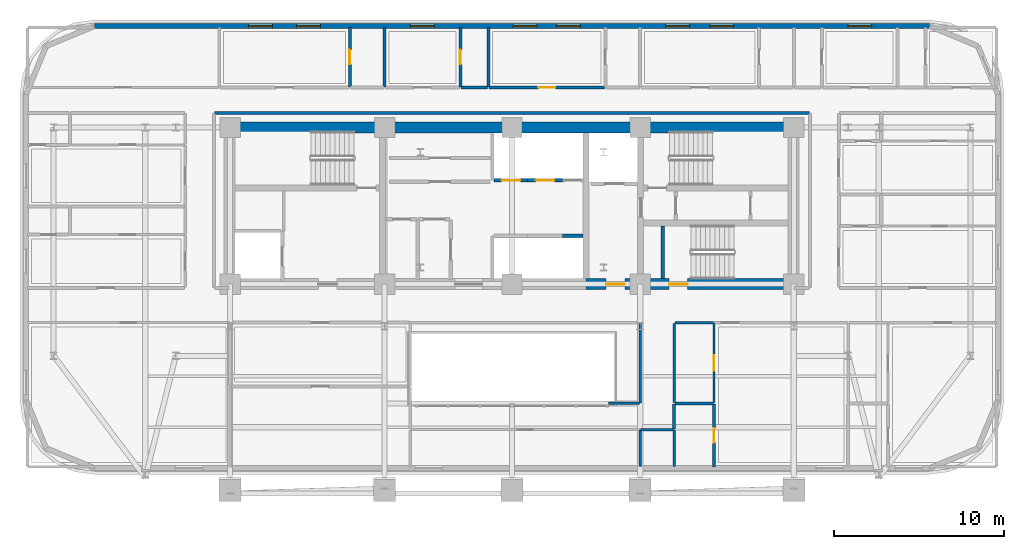
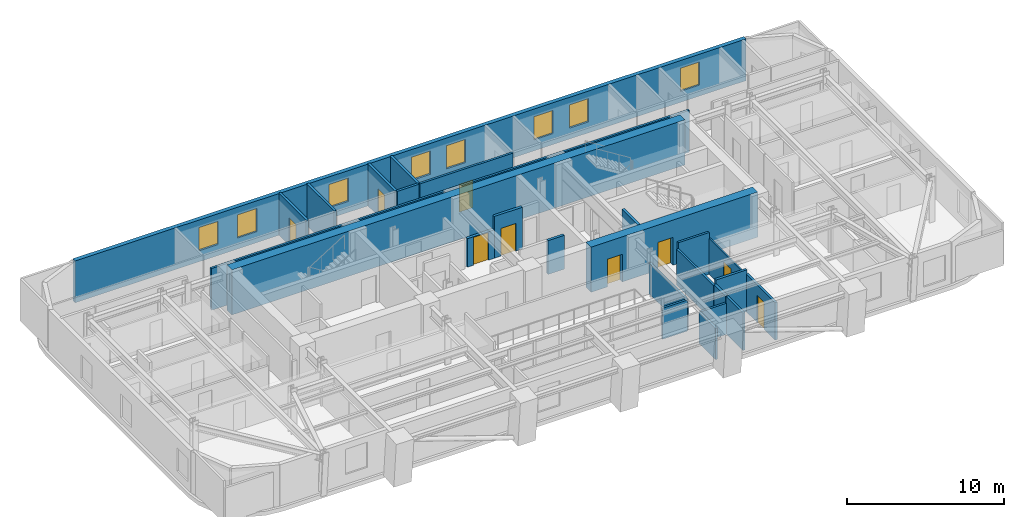
# One storey, part 9 of 15: 25 walls, 9 doors, 8 windows, 17 openings.
"""IFC4 building model written with IfcOpenShell, lengths in metres."""

from ifc_helpers import new_model, si_unit, direction, frame, frame_2d, origin, place, context, subcontext, project, spatial, rectangle, extrude, material, layer, layer_set, type_object, element, fill, save


model = new_model("IFC4")

# Units and contexts
model_context = context("Model", 3, precision=1e-05, world=origin(), true_north=direction((0.0, 1.0)))
body_context = subcontext(model_context, "Body", "Model", "MODEL_VIEW")
ifc_project = project(units=[si_unit("LENGTHUNIT", "METRE"), si_unit("AREAUNIT", "SQUARE_METRE"), si_unit("VOLUMEUNIT", "CUBIC_METRE"), si_unit("PLANEANGLEUNIT", "RADIAN"), si_unit("MASSUNIT", "GRAM", prefix="KILO")], contexts=[model_context])

# Site, building, storey
site_placement = place(None, origin())
site = spatial("IfcSite", under=ifc_project, at=site_placement, CompositionType="ELEMENT")
building_placement = place(site_placement, origin())
building = spatial("IfcBuilding", under=site, at=building_placement, Name="Zarnavel Station Tower", CompositionType="ELEMENT")
storey_placement = place(building_placement, frame((0.0, 0.0, 115.300048828125)))
storey = spatial("IfcBuildingStorey", under=building, at=storey_placement, Name="L31", CompositionType="ELEMENT", Elevation=115.300048828125)

# Wall
ifc_material_1 = material(Name="Concrete C60/75", Category="concrete")
ifc_layer_1 = layer(ifc_material_1, 0.64990234375)
ifc_layer_set_1 = layer_set([ifc_layer_1], Name="CW_650")
wall_type_1 = type_object("IfcWallType", Name="CW_650", PredefinedType="SHEAR", material=ifc_layer_set_1)
wall_1_placement = place(storey_placement, frame((12.14990234375, 37.050048828125, 0.0), z_axis=(0.0, 0.0, 1.0), x_axis=(1.0, 0.0, 0.0)))
element("IfcWall", 1, at=wall_1_placement, inside=storey, type_object=wall_type_1, Name="L31 Rear Core Shear Wall N", PredefinedType="SHEAR", context=body_context, shape_type="SweptSolid", body=[
    extrude(rectangle(XDim=33.22998046875, YDim=0.64990234375, at=frame_2d((16.614990234375, 0.0))), origin(), (0.0, 0.0, 1.0), 3.5),
])

# Wall, openings, doors
wall_2_placement = place(storey_placement, frame((45.3798828125, 27.820068359375, 0.0), z_axis=(0.0, 0.0, 1.0), x_axis=(-1.0, 0.0, 0.0)))
wall_2 = element("IfcWall", 2, at=wall_2_placement, inside=storey, type_object=wall_type_1, Name="L31 Rear Core Shear Wall S-E", PredefinedType="SHEAR", context=body_context, shape_type="SweptSolid", body=[
    extrude(rectangle(XDim=12.22998046875, YDim=0.64990234375, at=frame_2d((6.114990234375, 0.0))), origin(), (0.0, 0.0, 1.0), 3.5),
])
opening_1_placement = place(wall_2_placement, frame((9.929931640625, 0.0, 0.0)))
opening_1 = element("IfcOpeningElement", 3, at=opening_1_placement, cuts=wall_2, Name="Opening FD01", PredefinedType="OPENING", context=body_context, shape_type="SweptSolid", body=[
    extrude(rectangle(XDim=1.10009765625, YDim=2.14990234375, at=frame_2d((0.550048828125, 1.074951171875))), frame((0.0, 0.3349609375, 0.0), z_axis=(0.0, -1.0, 0.0), x_axis=(1.0, 0.0, 0.0)), (0.0, 0.0, 1.0), 0.669921875),
])
opening_2_placement = place(wall_2_placement, frame((6.22998046875, 0.0, 0.0)))
opening_2 = element("IfcOpeningElement", 4, at=opening_2_placement, cuts=wall_2, Name="Opening FD01", PredefinedType="OPENING", context=body_context, shape_type="SweptSolid", body=[
    extrude(rectangle(XDim=1.10009765625, YDim=2.14990234375, at=frame_2d((0.550048828125, 1.074951171875))), frame((0.0, 0.3349609375, 0.0), z_axis=(0.0, -1.0, 0.0), x_axis=(1.0, 0.0, 0.0)), (0.0, 0.0, 1.0), 0.669921875),
])
ifc_material_2 = material(Name="Painted Galvanised Steel and Hardwood Leaf", Category="steel")
door_type_1 = type_object("IfcDoorType", Name="ID_STAIR_1100", OperationType="NOTDEFINED", PredefinedType="DOOR", material=ifc_material_2)
door_1_placement = place(opening_1_placement, origin())
door_1 = element("IfcDoor", 5, at=door_1_placement, inside=storey, type_object=door_type_1, Name="L31 East Firefighting Lobby Door", OperationType="SINGLE_SWING_LEFT", OverallHeight=2.14990234375, OverallWidth=1.10009765625, PredefinedType="DOOR", context=body_context, shape_type="SweptSolid", body=[
    extrude(rectangle(XDim=1.10009765625, YDim=2.14990234375, at=frame_2d((0.550048828125, 1.074951171875))), frame((0.0, 0.02490234375, 0.0), z_axis=(0.0, -1.0, 0.0), x_axis=(1.0, 0.0, 0.0)), (0.0, 0.0, 1.0), 0.050048828125),
])
fill(opening_1, door_1)
door_2_placement = place(opening_2_placement, origin())
door_2 = element("IfcDoor", 6, at=door_2_placement, inside=storey, type_object=door_type_1, Name="L31 Stair ST3 Corridor Fire Door", OperationType="SINGLE_SWING_RIGHT", OverallHeight=2.14990234375, OverallWidth=1.10009765625, PredefinedType="DOOR", context=body_context, shape_type="SweptSolid", body=[
    extrude(rectangle(XDim=1.10009765625, YDim=2.14990234375, at=frame_2d((0.550048828125, 1.074951171875))), frame((0.0, 0.02490234375, 0.0), z_axis=(0.0, -1.0, 0.0), x_axis=(1.0, 0.0, 0.0)), (0.0, 0.0, 1.0), 0.050048828125),
])
fill(opening_2, door_2)

# Wall, openings, windows
ifc_material_3 = material(Name="Precast concrete C45/55 (Dark Basalt Finish)", Category="masonry")
ifc_layer_2 = layer(ifc_material_3, 0.300048828125)
ifc_layer_set_2 = layer_set([ifc_layer_2], Name="EW_BASALT_300")
wall_type_2 = type_object("IfcWallType", Name="EW_BASALT_300", PredefinedType="SOLIDWALL", material=ifc_layer_set_2)
wall_3_placement = place(storey_placement, frame((4.199951171875, 43.02001953125, 0.0), z_axis=(0.0, 0.0, 1.0), x_axis=(1.0, 0.0, 0.0)))
wall_3 = element("IfcWall", 7, at=wall_3_placement, inside=storey, type_object=wall_type_2, Name="L31 Exterior Basalt Masonry Frame Wall 06", PredefinedType="SOLIDWALL", context=body_context, shape_type="SweptSolid", body=[
    extrude(rectangle(XDim=49.199951171875, YDim=0.300048828125, at=frame_2d((24.60009765625, 0.0))), origin(), (0.0, 0.0, 1.0), 3.239990234375),
])
opening_3_placement = place(wall_3_placement, frame((9.090087890625, 0.0, 0.85009765625)))
opening_3 = element("IfcOpeningElement", 8, at=opening_3_placement, cuts=wall_3, Name="Opening WN01", PredefinedType="OPENING", context=body_context, shape_type="SweptSolid", body=[
    extrude(rectangle(XDim=1.39990234375, YDim=1.800048828125, at=frame_2d((0.699951171875, 0.89990234375))), frame((0.0, 0.159912109375, 0.0), z_axis=(0.0, -1.0, 0.0), x_axis=(1.0, 0.0, 0.0)), (0.0, 0.0, 1.0), 0.320068359375),
])
opening_4_placement = place(wall_3_placement, frame((11.919921875, 0.0, 0.85009765625)))
opening_4 = element("IfcOpeningElement", 9, at=opening_4_placement, cuts=wall_3, Name="Opening WN01", PredefinedType="OPENING", context=body_context, shape_type="SweptSolid", body=[
    extrude(rectangle(XDim=1.39990234375, YDim=1.800048828125, at=frame_2d((0.699951171875, 0.89990234375))), frame((0.0, 0.159912109375, 0.0), z_axis=(0.0, -1.0, 0.0), x_axis=(1.0, 0.0, 0.0)), (0.0, 0.0, 1.0), 0.320068359375),
])
opening_5_placement = place(wall_3_placement, frame((18.626953125, 0.0, 0.85009765625)))
opening_5 = element("IfcOpeningElement", 10, at=opening_5_placement, cuts=wall_3, Name="Opening WN01", PredefinedType="OPENING", context=body_context, shape_type="SweptSolid", body=[
    extrude(rectangle(XDim=1.39990234375, YDim=1.800048828125, at=frame_2d((0.699951171875, 0.89990234375))), frame((0.0, 0.159912109375, 0.0), z_axis=(0.0, -1.0, 0.0), x_axis=(1.0, 0.0, 0.0)), (0.0, 0.0, 1.0), 0.320068359375),
])
opening_6_placement = place(wall_3_placement, frame((24.669189453125, 0.0, 0.85009765625)))
opening_6 = element("IfcOpeningElement", 11, at=opening_6_placement, cuts=wall_3, Name="Opening WN01", PredefinedType="OPENING", context=body_context, shape_type="SweptSolid", body=[
    extrude(rectangle(XDim=1.39990234375, YDim=1.800048828125, at=frame_2d((0.699951171875, 0.89990234375))), frame((0.0, 0.159912109375, 0.0), z_axis=(0.0, -1.0, 0.0), x_axis=(1.0, 0.0, 0.0)), (0.0, 0.0, 1.0), 0.320068359375),
])
opening_7_placement = place(wall_3_placement, frame((27.234619140625, 0.0, 0.85009765625)))
opening_7 = element("IfcOpeningElement", 12, at=opening_7_placement, cuts=wall_3, Name="Opening WN01", PredefinedType="OPENING", context=body_context, shape_type="SweptSolid", body=[
    extrude(rectangle(XDim=1.39990234375, YDim=1.800048828125, at=frame_2d((0.699951171875, 0.89990234375))), frame((0.0, 0.159912109375, 0.0), z_axis=(0.0, -1.0, 0.0), x_axis=(1.0, 0.0, 0.0)), (0.0, 0.0, 1.0), 0.320068359375),
])
opening_8_placement = place(wall_3_placement, frame((33.64990234375, 0.0, 0.85009765625)))
opening_8 = element("IfcOpeningElement", 13, at=opening_8_placement, cuts=wall_3, Name="Opening WN01", PredefinedType="OPENING", context=body_context, shape_type="SweptSolid", body=[
    extrude(rectangle(XDim=1.39990234375, YDim=1.800048828125, at=frame_2d((0.699951171875, 0.89990234375))), frame((0.0, 0.159912109375, 0.0), z_axis=(0.0, -1.0, 0.0), x_axis=(1.0, 0.0, 0.0)), (0.0, 0.0, 1.0), 0.320068359375),
])
opening_9_placement = place(wall_3_placement, frame((36.25, 0.0, 0.85009765625)))
opening_9 = element("IfcOpeningElement", 14, at=opening_9_placement, cuts=wall_3, Name="Opening WN01", PredefinedType="OPENING", context=body_context, shape_type="SweptSolid", body=[
    extrude(rectangle(XDim=1.39990234375, YDim=1.800048828125, at=frame_2d((0.699951171875, 0.89990234375))), frame((0.0, 0.159912109375, 0.0), z_axis=(0.0, -1.0, 0.0), x_axis=(1.0, 0.0, 0.0)), (0.0, 0.0, 1.0), 0.320068359375),
])
opening_10_placement = place(wall_3_placement, frame((44.376953125, 0.0, 0.85009765625)))
opening_10 = element("IfcOpeningElement", 15, at=opening_10_placement, cuts=wall_3, Name="Opening WN01", PredefinedType="OPENING", context=body_context, shape_type="SweptSolid", body=[
    extrude(rectangle(XDim=1.39990234375, YDim=1.800048828125, at=frame_2d((0.699951171875, 0.89990234375))), frame((0.0, 0.159912109375, 0.0), z_axis=(0.0, -1.0, 0.0), x_axis=(1.0, 0.0, 0.0)), (0.0, 0.0, 1.0), 0.320068359375),
])
ifc_material_4 = material(Name="Thermally Broken Black Aluminium and Low-E Dark Glass", Category="aluminium")
window_type = type_object("IfcWindowType", Name="WN_1400x1800", PartitioningType="DOUBLE_PANEL_VERTICAL", PredefinedType="WINDOW", material=ifc_material_4)
window_1_placement = place(opening_3_placement, origin())
window_1 = element("IfcWindow", 16, at=window_1_placement, inside=storey, type_object=window_type, Name="L31 Recessed Facade Window 01", OverallHeight=1.800048828125, OverallWidth=1.39990234375, PartitioningType="SINGLE_PANEL", PredefinedType="WINDOW", context=body_context, shape_type="SweptSolid", body=[
    extrude(rectangle(XDim=1.39990234375, YDim=1.800048828125, at=frame_2d((0.699951171875, 0.89990234375))), frame((0.0, 0.030029296875, 0.0), z_axis=(0.0, -1.0, 0.0), x_axis=(1.0, 0.0, 0.0)), (0.0, 0.0, 1.0), 0.06005859375),
])
fill(opening_3, window_1)
window_2_placement = place(opening_4_placement, origin())
window_2 = element("IfcWindow", 17, at=window_2_placement, inside=storey, type_object=window_type, Name="L31 Recessed Facade Window 02", OverallHeight=1.800048828125, OverallWidth=1.39990234375, PartitioningType="SINGLE_PANEL", PredefinedType="WINDOW", context=body_context, shape_type="SweptSolid", body=[
    extrude(rectangle(XDim=1.39990234375, YDim=1.800048828125, at=frame_2d((0.699951171875, 0.89990234375))), frame((0.0, 0.030029296875, 0.0), z_axis=(0.0, -1.0, 0.0), x_axis=(1.0, 0.0, 0.0)), (0.0, 0.0, 1.0), 0.06005859375),
])
fill(opening_4, window_2)
window_3_placement = place(opening_5_placement, origin())
window_3 = element("IfcWindow", 18, at=window_3_placement, inside=storey, type_object=window_type, Name="L31 Recessed Facade Window 03", OverallHeight=1.800048828125, OverallWidth=1.39990234375, PartitioningType="SINGLE_PANEL", PredefinedType="WINDOW", context=body_context, shape_type="SweptSolid", body=[
    extrude(rectangle(XDim=1.39990234375, YDim=1.800048828125, at=frame_2d((0.699951171875, 0.89990234375))), frame((0.0, 0.030029296875, 0.0), z_axis=(0.0, -1.0, 0.0), x_axis=(1.0, 0.0, 0.0)), (0.0, 0.0, 1.0), 0.06005859375),
])
fill(opening_5, window_3)
window_4_placement = place(opening_6_placement, origin())
window_4 = element("IfcWindow", 19, at=window_4_placement, inside=storey, type_object=window_type, Name="L31 Recessed Facade Window 04", OverallHeight=1.800048828125, OverallWidth=1.39990234375, PartitioningType="SINGLE_PANEL", PredefinedType="WINDOW", context=body_context, shape_type="SweptSolid", body=[
    extrude(rectangle(XDim=1.39990234375, YDim=1.800048828125, at=frame_2d((0.699951171875, 0.89990234375))), frame((0.0, 0.030029296875, 0.0), z_axis=(0.0, -1.0, 0.0), x_axis=(1.0, 0.0, 0.0)), (0.0, 0.0, 1.0), 0.06005859375),
])
fill(opening_6, window_4)
window_5_placement = place(opening_7_placement, origin())
window_5 = element("IfcWindow", 20, at=window_5_placement, inside=storey, type_object=window_type, Name="L31 Recessed Facade Window 05", OverallHeight=1.800048828125, OverallWidth=1.39990234375, PartitioningType="SINGLE_PANEL", PredefinedType="WINDOW", context=body_context, shape_type="SweptSolid", body=[
    extrude(rectangle(XDim=1.39990234375, YDim=1.800048828125, at=frame_2d((0.699951171875, 0.89990234375))), frame((0.0, 0.030029296875, 0.0), z_axis=(0.0, -1.0, 0.0), x_axis=(1.0, 0.0, 0.0)), (0.0, 0.0, 1.0), 0.06005859375),
])
fill(opening_7, window_5)
window_6_placement = place(opening_8_placement, origin())
window_6 = element("IfcWindow", 21, at=window_6_placement, inside=storey, type_object=window_type, Name="L31 Recessed Facade Window 06", OverallHeight=1.800048828125, OverallWidth=1.39990234375, PartitioningType="SINGLE_PANEL", PredefinedType="WINDOW", context=body_context, shape_type="SweptSolid", body=[
    extrude(rectangle(XDim=1.39990234375, YDim=1.800048828125, at=frame_2d((0.699951171875, 0.89990234375))), frame((0.0, 0.030029296875, 0.0), z_axis=(0.0, -1.0, 0.0), x_axis=(1.0, 0.0, 0.0)), (0.0, 0.0, 1.0), 0.06005859375),
])
fill(opening_8, window_6)
window_7_placement = place(opening_9_placement, origin())
window_7 = element("IfcWindow", 22, at=window_7_placement, inside=storey, type_object=window_type, Name="L31 Recessed Facade Window 07", OverallHeight=1.800048828125, OverallWidth=1.39990234375, PartitioningType="SINGLE_PANEL", PredefinedType="WINDOW", context=body_context, shape_type="SweptSolid", body=[
    extrude(rectangle(XDim=1.39990234375, YDim=1.800048828125, at=frame_2d((0.699951171875, 0.89990234375))), frame((0.0, 0.030029296875, 0.0), z_axis=(0.0, -1.0, 0.0), x_axis=(1.0, 0.0, 0.0)), (0.0, 0.0, 1.0), 0.06005859375),
])
fill(opening_9, window_7)
window_8_placement = place(opening_10_placement, origin())
window_8 = element("IfcWindow", 23, at=window_8_placement, inside=storey, type_object=window_type, Name="L31 Recessed Facade Window 08", OverallHeight=1.800048828125, OverallWidth=1.39990234375, PartitioningType="SINGLE_PANEL", PredefinedType="WINDOW", context=body_context, shape_type="SweptSolid", body=[
    extrude(rectangle(XDim=1.39990234375, YDim=1.800048828125, at=frame_2d((0.699951171875, 0.89990234375))), frame((0.0, 0.030029296875, 0.0), z_axis=(0.0, -1.0, 0.0), x_axis=(1.0, 0.0, 0.0)), (0.0, 0.0, 1.0), 0.06005859375),
])
fill(opening_10, window_8)

# Wall
ifc_material_5 = material(Name="Gypsum Twin-Stud Acoustic Fire Partition", Category="concrete")
ifc_layer_3 = layer(ifc_material_5, 0.159912109375)
ifc_layer_set_3 = layer_set([ifc_layer_3], Name="PT_DEMISE_160")
wall_type_3 = type_object("IfcWallType", Name="PT_DEMISE_160", PredefinedType="PARTITIONING", material=ifc_layer_set_3)
wall_4_placement = place(storey_placement, frame((38.389892578125, 25.550048828125, 0.0), z_axis=(0.0, 0.0, 1.0), x_axis=(1.0, 0.0, 0.0)))
element("IfcWall", 24, at=wall_4_placement, inside=storey, type_object=wall_type_3, Name="L31 Partition COR-S-HE1S", PredefinedType="PARTITIONING", context=body_context, shape_type="SweptSolid", body=[
    extrude(rectangle(XDim=2.27001953125, YDim=0.159912109375, at=frame_2d((1.135009765625, 0.0))), origin(), (0.0, 0.0, 1.0), 3.239990234375),
])

# Wall, opening, door
wall_5_placement = place(storey_placement, frame((27.444091796875, 39.39990234375, 0.0), z_axis=(0.0, 0.0, 1.0), x_axis=(1.0, 0.0, 0.0)))
wall_5 = element("IfcWall", 25, at=wall_5_placement, inside=storey, type_object=wall_type_3, Name="L31 Partition COR-N-HN3R", PredefinedType="PARTITIONING", context=body_context, shape_type="SweptSolid", body=[
    extrude(rectangle(XDim=6.81591796875, YDim=0.159912109375, at=frame_2d((3.407958984375, 0.0))), origin(), (0.0, 0.0, 1.0), 3.239990234375),
])
opening_11_placement = place(wall_5_placement, frame((2.907958984375, 0.0, 0.0)))
opening_11 = element("IfcOpeningElement", 26, at=opening_11_placement, cuts=wall_5, Name="Opening FD02", PredefinedType="OPENING", context=body_context, shape_type="SweptSolid", body=[
    extrude(rectangle(XDim=1.0, YDim=2.14990234375, at=frame_2d((0.5, 1.074951171875))), frame((0.0, 0.08984375, 0.0), z_axis=(0.0, -1.0, 0.0), x_axis=(1.0, 0.0, 0.0)), (0.0, 0.0, 1.0), 0.179931640625),
])
ifc_material_6 = material(Name="Painted Galvanised Steel and Hardwood Leaf", Category="steel")
door_type_2 = type_object("IfcDoorType", Name="ID_ENTRY_1000", OperationType="NOTDEFINED", PredefinedType="DOOR", material=ifc_material_6)
door_3_placement = place(opening_11_placement, origin())
door_3 = element("IfcDoor", 27, at=door_3_placement, inside=storey, type_object=door_type_2, Name="L31 Door COR-N-HN3R", OperationType="SINGLE_SWING_LEFT", OverallHeight=2.14990234375, OverallWidth=1.0, PredefinedType="DOOR", context=body_context, shape_type="SweptSolid", body=[
    extrude(rectangle(XDim=1.0, YDim=2.14990234375, at=frame_2d((0.5, 1.074951171875))), frame((0.0, 0.02490234375, 0.0), z_axis=(0.0, -1.0, 0.0), x_axis=(1.0, 0.0, 0.0)), (0.0, 0.0, 1.0), 0.050048828125),
])
fill(opening_11, door_3)

# Walls
wall_6_placement = place(storey_placement, frame((38.35009765625, 20.8359375, 0.0), z_axis=(0.0, 0.0, 1.0), x_axis=(0.0, 1.0, 0.0)))
element("IfcWall", 28, at=wall_6_placement, inside=storey, type_object=wall_type_3, Name="L31 Partition COR-AE-HE1S", PredefinedType="PARTITIONING", context=body_context, shape_type="SweptSolid", body=[
    extrude(rectangle(XDim=4.674072265625, YDim=0.159912109375, at=frame_2d((2.3369140625, 0.0))), origin(), (0.0, 0.0, 1.0), 2.77001953125),
])
wall_7_placement = place(storey_placement, frame((11.280029296875, 37.89990234375, 0.0), z_axis=(0.0, 0.0, 1.0), x_axis=(1.0, 0.0, 0.0)))
element("IfcWall", 29, at=wall_7_placement, inside=storey, type_object=wall_type_3, Name="L31 Enclosure Wall COR-N", PredefinedType="PARTITIONING", context=body_context, shape_type="SweptSolid", body=[
    extrude(rectangle(XDim=35.0400390625, YDim=0.159912109375, at=frame_2d((17.52001953125, 0.0))), origin(), (0.0, 0.0, 1.0), 3.239990234375),
])
wall_8_placement = place(storey_placement, frame((36.3798828125, 19.25, 0.0), z_axis=(0.0, 0.0, 1.0), x_axis=(1.0, 0.0, 0.0)))
element("IfcWall", 30, at=wall_8_placement, inside=storey, type_object=wall_type_3, Name="L31 Enclosure Wall COR-AE", PredefinedType="PARTITIONING", context=body_context, shape_type="SweptSolid", body=[
    extrude(rectangle(XDim=1.940185546875, YDim=0.159912109375, at=frame_2d((0.97021484375, 0.0))), origin(), (0.0, 0.0, 1.0), 2.406005859375),
])
wall_9_placement = place(storey_placement, frame((36.35009765625, 20.830078125, 0.0), z_axis=(0.0, 0.0, 1.0), x_axis=(0.0, 1.0, 0.0)))
element("IfcWall", 31, at=wall_9_placement, inside=storey, type_object=wall_type_3, Name="L31 Enclosure Wall COR-AE", PredefinedType="PARTITIONING", context=body_context, shape_type="SweptSolid", body=[
    extrude(rectangle(XDim=4.68994140625, YDim=0.159912109375, at=frame_2d((2.344970703125, 0.0))), origin(), (0.0, 0.0, 1.0), 2.406005859375),
])
wall_10_placement = place(storey_placement, frame((34.47998046875, 20.800048828125, 0.0), z_axis=(0.0, 0.0, 1.0), x_axis=(1.0, 0.0, 0.0)))
element("IfcWall", 32, at=wall_10_placement, inside=storey, type_object=wall_type_3, Name="L31 Enclosure Wall COR-AS", PredefinedType="PARTITIONING", context=body_context, shape_type="SweptSolid", body=[
    extrude(rectangle(XDim=1.840087890625, YDim=0.159912109375, at=frame_2d((0.919921875, 0.0))), origin(), (0.0, 0.0, 1.0), 2.406005859375),
])
wall_11_placement = place(storey_placement, frame((36.35009765625, 17.090087890625, 0.0), z_axis=(0.0, 0.0, 1.0), x_axis=(0.0, 1.0, 0.0)))
element("IfcWall", 33, at=wall_11_placement, inside=storey, type_object=wall_type_3, Name="L31 Enclosure Wall Z2LIB", PredefinedType="PARTITIONING", context=body_context, shape_type="SweptSolid", body=[
    extrude(rectangle(XDim=2.1298828125, YDim=0.159912109375, at=frame_2d((1.06494140625, 0.0))), origin(), (0.0, 0.0, 1.0), 2.406005859375),
])
wall_12_placement = place(storey_placement, frame((38.35009765625, 17.090087890625, 0.0), z_axis=(0.0, 0.0, 1.0), x_axis=(0.0, 1.0, 0.0)))
element("IfcWall", 34, at=wall_12_placement, inside=storey, type_object=wall_type_3, Name="L31 Enclosure Wall HE1B", PredefinedType="PARTITIONING", context=body_context, shape_type="SweptSolid", body=[
    extrude(rectangle(XDim=2.1298828125, YDim=0.159912109375, at=frame_2d((1.06494140625, 0.0))), origin(), (0.0, 0.0, 1.0), 2.909912109375),
])

# Wall, opening, door
ifc_material_7 = material(Name="Gypsum Metal-Stud Interior Partition", Category="concrete")
ifc_layer_4 = layer(ifc_material_7, 0.1201171875)
ifc_layer_set_4 = layer_set([ifc_layer_4], Name="PT_ROOM_120")
wall_type_4 = type_object("IfcWallType", Name="PT_ROOM_120", PredefinedType="PARTITIONING", material=ifc_layer_set_4)
wall_13_placement = place(storey_placement, frame((40.699951171875, 20.8359375, 0.0), z_axis=(0.0, 0.0, 1.0), x_axis=(0.0, 1.0, 0.0)))
wall_13 = element("IfcWall", 35, at=wall_13_placement, inside=storey, type_object=wall_type_4, Name="L31 Partition HE1R-HE1S", PredefinedType="PARTITIONING", context=body_context, shape_type="SweptSolid", body=[
    extrude(rectangle(XDim=4.674072265625, YDim=0.1201171875, at=frame_2d((2.3369140625, 0.0))), origin(), (0.0, 0.0, 1.0), 2.77001953125),
])
opening_12_placement = place(wall_13_placement, frame((1.886962890625, 0.0, 0.0)))
opening_12 = element("IfcOpeningElement", 36, at=opening_12_placement, cuts=wall_13, Name="Opening ID01", PredefinedType="OPENING", context=body_context, shape_type="SweptSolid", body=[
    extrude(rectangle(XDim=0.89990234375, YDim=2.10009765625, at=frame_2d((0.449951171875, 1.050048828125))), frame((0.0, 0.070068359375, 0.0), z_axis=(0.0, -1.0, 0.0), x_axis=(1.0, 0.0, 0.0)), (0.0, 0.0, 1.0), 0.14013671875),
])
ifc_material_8 = material(Name="Painted Galvanised Steel and Hardwood Leaf", Category="steel")
door_type_3 = type_object("IfcDoorType", Name="ID_ROOM_900", OperationType="NOTDEFINED", PredefinedType="DOOR", material=ifc_material_8)
door_4_placement = place(opening_12_placement, origin())
door_4 = element("IfcDoor", 37, at=door_4_placement, inside=storey, type_object=door_type_3, Name="L31 Door HE1R-HE1S", OperationType="SINGLE_SWING_RIGHT", OverallHeight=2.10009765625, OverallWidth=0.89990234375, PredefinedType="DOOR", context=body_context, shape_type="SweptSolid", body=[
    extrude(rectangle(XDim=0.89990234375, YDim=2.10009765625, at=frame_2d((0.449951171875, 1.050048828125))), frame((0.0, 0.02490234375, 0.0), z_axis=(0.0, -1.0, 0.0), x_axis=(1.0, 0.0, 0.0)), (0.0, 0.0, 1.0), 0.050048828125),
])
fill(opening_12, door_4)

# Wall
ifc_material_9 = material(Name="Precast concrete C45/55 (Fire Shaft Blockwork)", Category="masonry")
ifc_layer_5 = layer(ifc_material_9, 0.199951171875)
ifc_layer_set_5 = layer_set([ifc_layer_5], Name="PT_SHAFT_200")
wall_type_5 = type_object("IfcWallType", Name="PT_SHAFT_200", PredefinedType="PARTITIONING", material=ifc_layer_set_5)
wall_14_placement = place(storey_placement, frame((31.77490234375, 30.669921875, 0.0), z_axis=(0.0, 0.0, 1.0), x_axis=(1.0, 0.0, 0.0)))
element("IfcWall", 38, at=wall_14_placement, inside=storey, type_object=wall_type_5, Name="L31 Lift PL-H3 Shaft Front Wall", PredefinedType="PARTITIONING", context=body_context, shape_type="SweptSolid", body=[
    extrude(rectangle(XDim=1.2001953125, YDim=0.199951171875, at=frame_2d((0.60009765625, 0.0))), origin(), (0.0, 0.0, 1.0), 2.619873046875),
])

# Wall, opening, door
wall_15_placement = place(storey_placement, frame((27.75, 33.929931640625, 0.0), z_axis=(0.0, 0.0, 1.0), x_axis=(1.0, 0.0, 0.0)))
wall_15 = element("IfcWall", 39, at=wall_15_placement, inside=storey, type_object=wall_type_5, Name="L31 Lift PL-M1 Shaft Front Wall", PredefinedType="PARTITIONING", context=body_context, shape_type="SweptSolid", body=[
    extrude(rectangle(XDim=1.97509765625, YDim=0.199951171875, at=frame_2d((0.987548828125, 0.0))), origin(), (0.0, 0.0, 1.0), 2.2119140625),
])
opening_13_placement = place(wall_15_placement, frame((0.4375, 0.0, 0.0)))
opening_13 = element("IfcOpeningElement", 40, at=opening_13_placement, cuts=wall_15, Name="Opening LD02", PredefinedType="OPENING", context=body_context, shape_type="SweptSolid", body=[
    extrude(rectangle(XDim=1.10009765625, YDim=2.14990234375, at=frame_2d((0.550048828125, 1.074951171875))), frame((0.0, 0.10986328125, 0.0), z_axis=(0.0, -1.0, 0.0), x_axis=(1.0, 0.0, 0.0)), (0.0, 0.0, 1.0), 0.219970703125),
])
ifc_material_10 = material(Name="Painted Galvanised Steel and Hardwood Leaf", Category="steel")
door_type_4 = type_object("IfcDoorType", Name="LD_PAX_1100", OperationType="DOUBLE_DOOR_SLIDING", PredefinedType="DOOR", material=ifc_material_10)
door_5_placement = place(opening_13_placement, origin())
door_5 = element("IfcDoor", 41, at=door_5_placement, inside=storey, type_object=door_type_4, Name="L31 Lift PL-M1 Sliding Landing Door", OperationType="DOUBLE_DOOR_SLIDING", OverallHeight=2.14990234375, OverallWidth=1.10009765625, PredefinedType="DOOR", context=body_context, shape_type="SweptSolid", body=[
    extrude(rectangle(XDim=1.10009765625, YDim=2.14990234375, at=frame_2d((0.550048828125, 1.074951171875))), frame((0.0, 0.02490234375, 0.0), z_axis=(0.0, -1.0, 0.0), x_axis=(1.0, 0.0, 0.0)), (0.0, 0.0, 1.0), 0.050048828125),
])
fill(opening_13, door_5)

wall_16_placement = place(storey_placement, frame((29.72509765625, 33.929931640625, 0.0), z_axis=(0.0, 0.0, 1.0), x_axis=(1.0, 0.0, 0.0)))
wall_16 = element("IfcWall", 42, at=wall_16_placement, inside=storey, type_object=wall_type_5, Name="L31 Lift PL-M2 Shaft Front Wall", PredefinedType="PARTITIONING", context=body_context, shape_type="SweptSolid", body=[
    extrude(rectangle(XDim=2.0498046875, YDim=0.199951171875, at=frame_2d((1.02490234375, 0.0))), origin(), (0.0, 0.0, 1.0), 3.239990234375),
])
opening_14_placement = place(wall_16_placement, frame((0.47509765625, 0.0, 0.0)))
opening_14 = element("IfcOpeningElement", 43, at=opening_14_placement, cuts=wall_16, Name="Opening LD02", PredefinedType="OPENING", context=body_context, shape_type="SweptSolid", body=[
    extrude(rectangle(XDim=1.10009765625, YDim=2.14990234375, at=frame_2d((0.550048828125, 1.074951171875))), frame((0.0, 0.10986328125, 0.0), z_axis=(0.0, -1.0, 0.0), x_axis=(1.0, 0.0, 0.0)), (0.0, 0.0, 1.0), 0.219970703125),
])
door_6_placement = place(opening_14_placement, origin())
door_6 = element("IfcDoor", 44, at=door_6_placement, inside=storey, type_object=door_type_4, Name="L31 Lift PL-M2 Sliding Landing Door", OperationType="DOUBLE_DOOR_SLIDING", OverallHeight=2.14990234375, OverallWidth=1.10009765625, PredefinedType="DOOR", context=body_context, shape_type="SweptSolid", body=[
    extrude(rectangle(XDim=1.10009765625, YDim=2.14990234375, at=frame_2d((0.550048828125, 1.074951171875))), frame((0.0, 0.02490234375, 0.0), z_axis=(0.0, -1.0, 0.0), x_axis=(1.0, 0.0, 0.0)), (0.0, 0.0, 1.0), 0.050048828125),
])
fill(opening_14, door_6)

# Walls
wall_17_placement = place(storey_placement, frame((37.679931640625, 28.14501953125, 0.0), z_axis=(0.0, 0.0, 1.0), x_axis=(0.0, 1.0, 0.0)))
element("IfcWall", 45, at=wall_17_placement, inside=storey, type_object=wall_type_5, Name="L31 Stair ST3 West Shaft Wall", PredefinedType="PARTITIONING", context=body_context, shape_type="SweptSolid", body=[
    extrude(rectangle(XDim=3.10498046875, YDim=0.199951171875, at=frame_2d((1.552490234375, 0.0))), origin(), (0.0, 0.0, 1.0), 2.619873046875),
])
ifc_material_11 = material(Name="Moisture-Resistant Plumbing Chase Wall", Category="concrete")
ifc_layer_6 = layer(ifc_material_11, 0.179931640625)
ifc_layer_set_6 = layer_set([ifc_layer_6], Name="PW_PLUMB_180")
wall_type_6 = type_object("IfcWallType", Name="PW_PLUMB_180", PredefinedType="PLUMBINGWALL", material=ifc_layer_set_6)
wall_18_placement = place(storey_placement, frame((25.7939453125, 39.39990234375, 0.0), z_axis=(0.0, 0.0, 1.0), x_axis=(1.0, 0.0, 0.0)))
element("IfcWall", 46, at=wall_18_placement, inside=storey, type_object=wall_type_6, Name="L31 Partition COR-N-HN2B", PredefinedType="PLUMBINGWALL", context=body_context, shape_type="SweptSolid", body=[
    extrude(rectangle(XDim=1.570068359375, YDim=0.179931640625, at=frame_2d((0.78515625, 0.0))), origin(), (0.0, 0.0, 1.0), 3.239990234375),
])
wall_19_placement = place(storey_placement, frame((38.35009765625, 19.2900390625, 0.0), z_axis=(0.0, 0.0, 1.0), x_axis=(0.0, 1.0, 0.0)))
element("IfcWall", 47, at=wall_19_placement, inside=storey, type_object=wall_type_6, Name="L31 Partition COR-AE-HE1B", PredefinedType="PLUMBINGWALL", context=body_context, shape_type="SweptSolid", body=[
    extrude(rectangle(XDim=1.466064453125, YDim=0.179931640625, at=frame_2d((0.73291015625, 0.0))), origin(), (0.0, 0.0, 1.0), 2.909912109375),
])

# Wall, opening, door
wall_20_placement = place(storey_placement, frame((19.25, 39.43994140625, 0.0), z_axis=(0.0, 0.0, 1.0), x_axis=(0.0, 1.0, 0.0)))
wall_20 = element("IfcWall", 48, at=wall_20_placement, inside=storey, type_object=wall_type_6, Name="L31 Partition HN1R-HN1B", PredefinedType="PLUMBINGWALL", context=body_context, shape_type="SweptSolid", body=[
    extrude(rectangle(XDim=3.5, YDim=0.179931640625, at=frame_2d((1.75, 0.0))), origin(), (0.0, 0.0, 1.0), 3.239990234375),
])
opening_15_placement = place(wall_20_placement, frame((1.324951171875, 0.0, 0.0)))
opening_15 = element("IfcOpeningElement", 49, at=opening_15_placement, cuts=wall_20, Name="Opening ID02", PredefinedType="OPENING", context=body_context, shape_type="SweptSolid", body=[
    extrude(rectangle(XDim=0.85009765625, YDim=2.10009765625, at=frame_2d((0.425048828125, 1.050048828125))), frame((0.0, 0.099853515625, 0.0), z_axis=(0.0, -1.0, 0.0), x_axis=(1.0, 0.0, 0.0)), (0.0, 0.0, 1.0), 0.199951171875),
])
ifc_material_12 = material(Name="Painted Galvanised Steel and Hardwood Leaf", Category="steel")
door_type_5 = type_object("IfcDoorType", Name="ID_BATH_850", OperationType="NOTDEFINED", PredefinedType="DOOR", material=ifc_material_12)
door_7_placement = place(opening_15_placement, origin())
door_7 = element("IfcDoor", 50, at=door_7_placement, inside=storey, type_object=door_type_5, Name="L31 Door HN1R-HN1B", OperationType="SINGLE_SWING_RIGHT", OverallHeight=2.10009765625, OverallWidth=0.85009765625, PredefinedType="DOOR", context=body_context, shape_type="SweptSolid", body=[
    extrude(rectangle(XDim=0.85009765625, YDim=2.10009765625, at=frame_2d((0.425048828125, 1.050048828125))), frame((0.0, 0.02490234375, 0.0), z_axis=(0.0, -1.0, 0.0), x_axis=(1.0, 0.0, 0.0)), (0.0, 0.0, 1.0), 0.050048828125),
])
fill(opening_15, door_7)

# Wall
wall_21_placement = place(storey_placement, frame((21.300048828125, 39.43994140625, 0.0), z_axis=(0.0, 0.0, 1.0), x_axis=(0.0, 1.0, 0.0)))
element("IfcWall", 51, at=wall_21_placement, inside=storey, type_object=wall_type_6, Name="L31 Partition HN1B-HN2R", PredefinedType="PLUMBINGWALL", context=body_context, shape_type="SweptSolid", body=[
    extrude(rectangle(XDim=3.5, YDim=0.179931640625, at=frame_2d((1.75, 0.0))), origin(), (0.0, 0.0, 1.0), 3.239990234375),
])

# Wall, opening, door
wall_22_placement = place(storey_placement, frame((25.75390625, 39.43994140625, 0.0), z_axis=(0.0, 0.0, 1.0), x_axis=(0.0, 1.0, 0.0)))
wall_22 = element("IfcWall", 52, at=wall_22_placement, inside=storey, type_object=wall_type_6, Name="L31 Partition HN2R-HN2B", PredefinedType="PLUMBINGWALL", context=body_context, shape_type="SweptSolid", body=[
    extrude(rectangle(XDim=3.5, YDim=0.179931640625, at=frame_2d((1.75, 0.0))), origin(), (0.0, 0.0, 1.0), 3.239990234375),
])
opening_16_placement = place(wall_22_placement, frame((1.324951171875, 0.0, 0.0)))
opening_16 = element("IfcOpeningElement", 53, at=opening_16_placement, cuts=wall_22, Name="Opening ID02", PredefinedType="OPENING", context=body_context, shape_type="SweptSolid", body=[
    extrude(rectangle(XDim=0.85009765625, YDim=2.10009765625, at=frame_2d((0.425048828125, 1.050048828125))), frame((0.0, 0.099853515625, 0.0), z_axis=(0.0, -1.0, 0.0), x_axis=(1.0, 0.0, 0.0)), (0.0, 0.0, 1.0), 0.199951171875),
])
door_8_placement = place(opening_16_placement, origin())
door_8 = element("IfcDoor", 54, at=door_8_placement, inside=storey, type_object=door_type_5, Name="L31 Door HN2R-HN2B", OperationType="SINGLE_SWING_LEFT", OverallHeight=2.10009765625, OverallWidth=0.85009765625, PredefinedType="DOOR", context=body_context, shape_type="SweptSolid", body=[
    extrude(rectangle(XDim=0.85009765625, YDim=2.10009765625, at=frame_2d((0.425048828125, 1.050048828125))), frame((0.0, 0.02490234375, 0.0), z_axis=(0.0, -1.0, 0.0), x_axis=(1.0, 0.0, 0.0)), (0.0, 0.0, 1.0), 0.050048828125),
])
fill(opening_16, door_8)

# Wall
wall_23_placement = place(storey_placement, frame((27.404052734375, 39.43994140625, 0.0), z_axis=(0.0, 0.0, 1.0), x_axis=(0.0, 1.0, 0.0)))
element("IfcWall", 55, at=wall_23_placement, inside=storey, type_object=wall_type_6, Name="L31 Partition HN2B-HN3R", PredefinedType="PLUMBINGWALL", context=body_context, shape_type="SweptSolid", body=[
    extrude(rectangle(XDim=3.5, YDim=0.179931640625, at=frame_2d((1.75, 0.0))), origin(), (0.0, 0.0, 1.0), 3.239990234375),
])

# Wall, opening, door
wall_24_placement = place(storey_placement, frame((40.699951171875, 17.06005859375, 0.0), z_axis=(0.0, 0.0, 1.0), x_axis=(0.0, 1.0, 0.0)))
wall_24 = element("IfcWall", 56, at=wall_24_placement, inside=storey, type_object=wall_type_6, Name="L31 Partition HE1R-HE1B", PredefinedType="PLUMBINGWALL", context=body_context, shape_type="SweptSolid", body=[
    extrude(rectangle(XDim=3.696044921875, YDim=0.179931640625, at=frame_2d((1.84814453125, 0.0))), origin(), (0.0, 0.0, 1.0), 2.909912109375),
])
opening_17_placement = place(wall_24_placement, frame((1.423095703125, 0.0, 0.0)))
opening_17 = element("IfcOpeningElement", 57, at=opening_17_placement, cuts=wall_24, Name="Opening ID02", PredefinedType="OPENING", context=body_context, shape_type="SweptSolid", body=[
    extrude(rectangle(XDim=0.85009765625, YDim=2.10009765625, at=frame_2d((0.425048828125, 1.050048828125))), frame((0.0, 0.099853515625, 0.0), z_axis=(0.0, -1.0, 0.0), x_axis=(1.0, 0.0, 0.0)), (0.0, 0.0, 1.0), 0.199951171875),
])
door_9_placement = place(opening_17_placement, origin())
door_9 = element("IfcDoor", 58, at=door_9_placement, inside=storey, type_object=door_type_5, Name="L31 Door HE1R-HE1B", OperationType="SINGLE_SWING_LEFT", OverallHeight=2.10009765625, OverallWidth=0.85009765625, PredefinedType="DOOR", context=body_context, shape_type="SweptSolid", body=[
    extrude(rectangle(XDim=0.85009765625, YDim=2.10009765625, at=frame_2d((0.425048828125, 1.050048828125))), frame((0.0, 0.02490234375, 0.0), z_axis=(0.0, -1.0, 0.0), x_axis=(1.0, 0.0, 0.0)), (0.0, 0.0, 1.0), 0.050048828125),
])
fill(opening_17, door_9)

# Wall
wall_25_placement = place(storey_placement, frame((38.389892578125, 20.7958984375, 0.0), z_axis=(0.0, 0.0, 1.0), x_axis=(1.0, 0.0, 0.0)))
element("IfcWall", 59, at=wall_25_placement, inside=storey, type_object=wall_type_6, Name="L31 Partition HE1B-HE1S", PredefinedType="PLUMBINGWALL", context=body_context, shape_type="SweptSolid", body=[
    extrude(rectangle(XDim=2.27001953125, YDim=0.179931640625, at=frame_2d((1.135009765625, 0.0))), origin(), (0.0, 0.0, 1.0), 3.239990234375),
])

save(model, "model.ifc")
